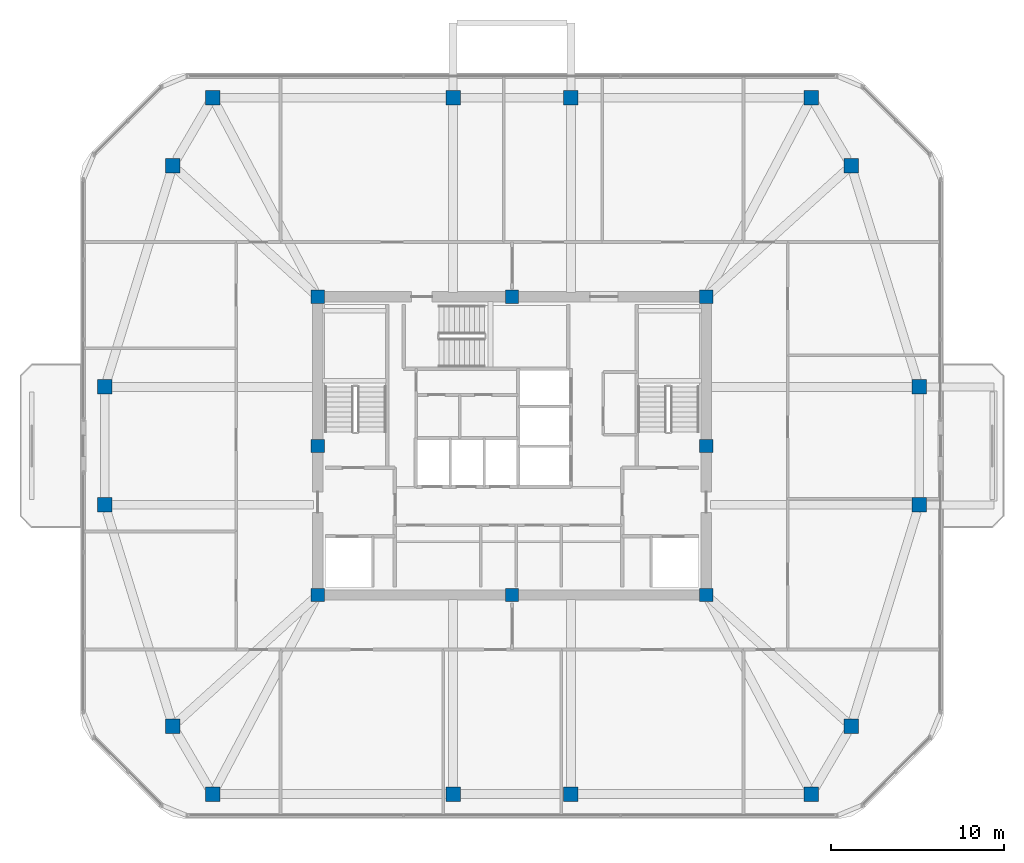
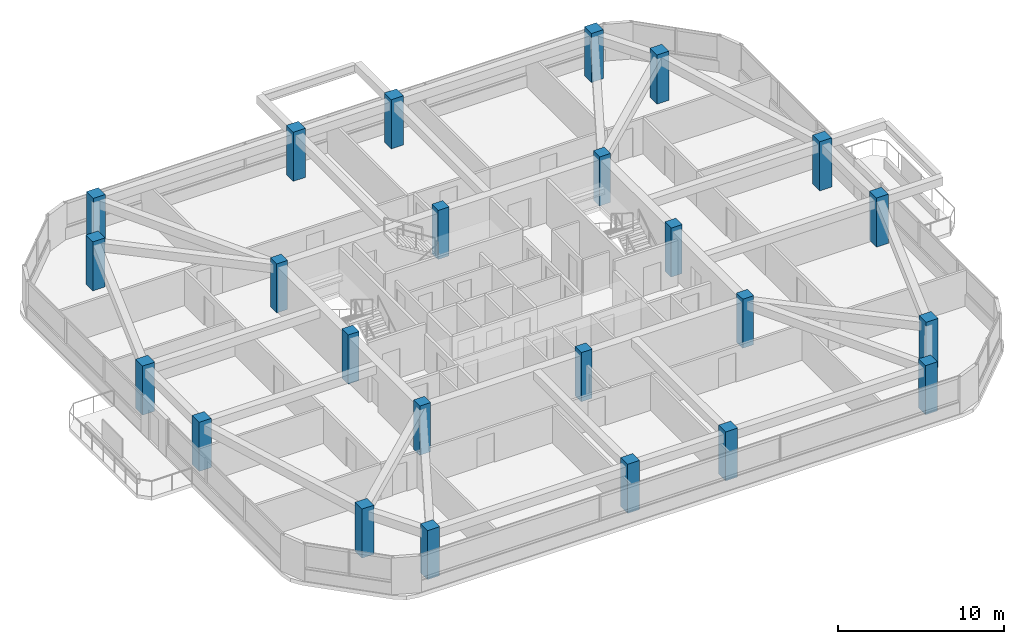
# One storey, part 1 of 14: 24 columns.
"""IFC4 building model written with IfcOpenShell, lengths in metres."""

import ifcopenshell
import ifcopenshell.guid

model = None  # the IFC model being written
_history = None  # IfcOwnerHistory: only IFC2X3 demands one
_inside = {}  # id of a spatial element -> (the spatial element, [elements in it])
_under = {}  # id of a project, library or spatial element -> (it, [spatial elements below it])
_declared = {}  # id of a project -> (the project, [libraries it declares])
_typed = {}  # id of a type object -> (the type object, [elements of that type])
_made_of = {}  # id of a material, layer set ... -> (it, [elements and type objects made of it])


def new_model(schema):
    """Start an empty IFC model of exactly this schema.

    Asked for "IFC4X3", IfcOpenShell would pick the latest addendum, in which some entities
    have other attributes; the version numbers below select the first issue.
    IFC2X3 requires an IfcOwnerHistory on every rooted entity: one is made here for all.
    """
    global model, _history
    if schema == "IFC4X3":
        model = ifcopenshell.file(schema_version=(4, 3, 0, 0))
    else:
        model = ifcopenshell.file(schema=schema)
    _inside.clear()
    _under.clear()
    _declared.clear()
    _typed.clear()
    _made_of.clear()
    _history = None
    if model.schema == "IFC2X3":
        org = make("IfcOrganization", Name="unknown")
        user = make(
            "IfcPersonAndOrganization",
            ThePerson=make("IfcPerson", FamilyName="unknown"),
            TheOrganization=org,
        )
        app = make(
            "IfcApplication",
            ApplicationDeveloper=org,
            Version="unknown",
            ApplicationFullName="unknown",
            ApplicationIdentifier="unknown",
        )
        _history = make(
            "IfcOwnerHistory",
            OwningUser=user,
            OwningApplication=app,
            ChangeAction="ADDED",
            CreationDate=0,
        )
    return model


def make(cls, **values):
    """One entity of the class cls with the attributes given. An attribute that is None is left unset."""
    return model.create_entity(
        cls, **{name: value for name, value in values.items() if value is not None}
    )


def rooted(cls, **values):
    """An entity with a GlobalId (a new one), such as an element, a storey or a relation."""
    return make(cls, GlobalId=ifcopenshell.guid.new(), OwnerHistory=_history, **values)


def si_unit(unit_type, name, prefix=None):
    """IfcSIUnit, for example si_unit("LENGTHUNIT", "METRE", prefix="MILLI")."""
    return make("IfcSIUnit", UnitType=unit_type, Prefix=prefix, Name=name)


def derived_unit(unit_type, elements):
    """IfcDerivedUnit: a product of units, each with its exponent."""
    return make(
        "IfcDerivedUnit",
        Elements=[
            make("IfcDerivedUnitElement", Unit=unit, Exponent=power)
            for unit, power in elements
        ],
        UnitType=unit_type,
    )


def assignment(units):
    """IfcUnitAssignment: the units of a project."""
    return None if units is None else make("IfcUnitAssignment", Units=units)


def point(xyz):
    """IfcCartesianPoint."""
    return None if xyz is None else make("IfcCartesianPoint", Coordinates=xyz)


def direction(xyz):
    """IfcDirection."""
    return None if xyz is None else make("IfcDirection", DirectionRatios=xyz)


def frame(location, z_axis=None, x_axis=None):
    """IfcAxis2Placement3D, a coordinate frame: its origin and axes. An axis left out is left unset."""
    return make(
        "IfcAxis2Placement3D",
        Location=point(location),
        Axis=direction(z_axis),
        RefDirection=direction(x_axis),
    )


def frame_2d(location, x_axis=None):
    """IfcAxis2Placement2D, a coordinate frame in the plane: its origin and x axis."""
    return make(
        "IfcAxis2Placement2D", Location=point(location), RefDirection=direction(x_axis)
    )


def origin():
    """The frame at (0, 0, 0) with its axes left unset."""
    return frame((0.0, 0.0, 0.0))


def origin_2d():
    """The frame at (0, 0) in the plane with its x axis left unset."""
    return frame_2d((0.0, 0.0))


def place(relative_to, where):
    """IfcLocalPlacement: puts the frame where relative to a parent placement (None: the world)."""
    return make(
        "IfcLocalPlacement", PlacementRelTo=relative_to, RelativePlacement=where
    )


def context(
    kind, dimensions, precision=None, world=None, true_north=None, identifier=None
):
    """IfcGeometricRepresentationContext, for example the 3D "Model" context."""
    return make(
        "IfcGeometricRepresentationContext",
        ContextIdentifier=identifier,
        ContextType=kind,
        CoordinateSpaceDimension=dimensions,
        Precision=precision,
        WorldCoordinateSystem=world,
        TrueNorth=true_north,
    )


def subcontext(parent, identifier, kind, view, scale=None):
    """IfcGeometricRepresentationSubContext, for example "Body" below "Model"."""
    return make(
        "IfcGeometricRepresentationSubContext",
        ContextIdentifier=identifier,
        ContextType=kind,
        ParentContext=parent,
        TargetScale=scale,
        TargetView=view,
    )


def project(units=None, contexts=None):
    """IfcProject with its units and contexts."""
    return rooted(
        "IfcProject",
        Name="project",
        RepresentationContexts=contexts,
        UnitsInContext=assignment(units),
    )


def spatial(cls, under=None, at=None, **own):
    """A site, building, storey or space (cls), placed at a placement, below another one or the project."""
    s = rooted(cls, ObjectPlacement=at, **own)
    if under is not None:
        _under.setdefault(under.id(), (under, []))[1].append(s)
    return s


def profile(cls, at=None, kind="AREA", **sizes):
    """A parametric profile (cls). Its sizes go by their IFC names, for example OverallWidth=200.0."""
    return make(cls, ProfileType=kind, Position=at, **sizes)


def rectangle(**sizes):
    """IfcRectangleProfileDef."""
    return profile("IfcRectangleProfileDef", **sizes)


def extrude(swept, where, along, depth):
    """IfcExtrudedAreaSolid: the profile swept, set in the frame where, extruded along a direction by depth."""
    return make(
        "IfcExtrudedAreaSolid",
        SweptArea=swept,
        Position=where,
        ExtrudedDirection=direction(along),
        Depth=depth,
    )


def shape(context_of_items, identifier, shape_type, items):
    """IfcShapeRepresentation: the items that make up one representation, for example the "Body"."""
    return make(
        "IfcShapeRepresentation",
        ContextOfItems=context_of_items,
        RepresentationIdentifier=identifier,
        RepresentationType=shape_type,
        Items=items,
    )


def material(Name=None, Category=None):
    """IfcMaterial."""
    return make("IfcMaterial", Name=Name, Category=Category)


def material_profile(
    of_material, cross_section, Name=None, Category=None, Priority=None
):
    """IfcMaterialProfile: a cross section and its material."""
    return make(
        "IfcMaterialProfile",
        Name=Name,
        Material=of_material,
        Profile=cross_section,
        Priority=Priority,
        Category=Category,
    )


def profile_set(profiles, Name=None, composite=None):
    """IfcMaterialProfileSet."""
    return make(
        "IfcMaterialProfileSet",
        Name=Name,
        MaterialProfiles=profiles,
        CompositeProfile=composite,
    )


def made_of(thing, what):
    """Note that an element or type object is made of a material, layer set ...; save() writes the relation."""
    if what is not None:
        _made_of.setdefault(what.id(), (what, []))[1].append(thing)
    return thing


def type_object(cls, material=None, **own):
    """A type object (cls), such as IfcWallType, which elements share."""
    return made_of(rooted(cls, **own), material)


def element(
    cls,
    number,
    at=None,
    inside=None,
    cuts=None,
    type_object=None,
    material=None,
    context=None,
    identifier="Body",
    shape_type=None,
    held_by="IfcProductDefinitionShape",
    body=None,
    shapes=None,
    **own,
):
    """One element of the class cls, such as IfcWall. Its Tag is "e" and its number.

    at: its placement. inside: the storey or other place that contains it. cuts: it is an
    opening in that element (IfcRelVoidsElement). A single representation is given by context,
    identifier, shape_type and body (its items); several are given by shapes. held_by: the class
    of the entity that holds the representations. save() writes the other relations.
    """
    e = rooted(cls, Tag="e%d" % number, ObjectPlacement=at, **own)
    if body is not None:
        shapes = [shape(context, identifier, shape_type, body)]
    if shapes is not None:
        e.Representation = make(held_by, Representations=shapes)
    if inside is not None:
        _inside.setdefault(inside.id(), (inside, []))[1].append(e)
    if cuts is not None:
        rooted(
            "IfcRelVoidsElement", RelatingBuildingElement=cuts, RelatedOpeningElement=e
        )
    if type_object is not None:
        _typed.setdefault(type_object.id(), (type_object, []))[1].append(e)
    return made_of(e, material)


def aggregate(whole, parts):
    """IfcRelAggregates: a whole, such as a stair, and the parts it consists of."""
    return rooted("IfcRelAggregates", RelatingObject=whole, RelatedObjects=parts)


def save(model, path):
    """Write the relations noted so far, then the file.

    IfcRelAggregates (storeys below a building ...), IfcRelContainedInSpatialStructure (elements
    in a storey), IfcRelDefinesByType, IfcRelAssociatesMaterial and IfcRelDeclares: one each for
    every whole, place, type object, material and project.
    """
    for whole, parts in _under.values():
        aggregate(whole, parts)
    for where, things in _inside.values():
        rooted(
            "IfcRelContainedInSpatialStructure",
            RelatedElements=things,
            RelatingStructure=where,
        )
    for kind, things in _typed.values():
        rooted("IfcRelDefinesByType", RelatedObjects=things, RelatingType=kind)
    for what, things in _made_of.values():
        rooted("IfcRelAssociatesMaterial", RelatedObjects=things, RelatingMaterial=what)
    for by, libraries in _declared.values():
        rooted("IfcRelDeclares", RelatingContext=by, RelatedDefinitions=libraries)
    model.write(path)


model = new_model("IFC4")

# Units and contexts
model_context = context("Model", 3, precision=1e-05, world=origin(), true_north=direction((0.0, 1.0)))
body_context = subcontext(model_context, "Body", "Model", "MODEL_VIEW")
ifc_project = project(units=[si_unit("LENGTHUNIT", "METRE"), si_unit("AREAUNIT", "SQUARE_METRE"), si_unit("VOLUMEUNIT", "CUBIC_METRE"), si_unit("PLANEANGLEUNIT", "RADIAN"), si_unit("MASSUNIT", "GRAM", prefix="KILO"), derived_unit("THERMALTRANSMITTANCEUNIT", [(si_unit("POWERUNIT", "WATT"), 1), (si_unit("LENGTHUNIT", "METRE"), -2), (si_unit("THERMODYNAMICTEMPERATUREUNIT", "KELVIN"), -1)])], contexts=[model_context])

# Site, building, storey
site_placement = place(None, origin())
site = spatial("IfcSite", under=ifc_project, at=site_placement, CompositionType="ELEMENT")
building_placement = place(site_placement, origin())
building = spatial("IfcBuilding", under=site, at=building_placement, Name="Koralith Skygarden Medical Center", CompositionType="ELEMENT")
storey_placement = place(building_placement, frame((0.0, 0.0, 257.219970703125)))
storey = spatial("IfcBuildingStorey", under=building, at=storey_placement, Name="L66", CompositionType="ELEMENT", Elevation=257.219970703125)

# Columns
ifc_material = material(Name="Concrete C55/67", Category="concrete")
ifc_material_profile_1 = material_profile(ifc_material, rectangle(XDim=0.760009765625, YDim=0.760009765625, at=origin_2d()), Name="RC760X760")
ifc_profile_set_1 = profile_set([ifc_material_profile_1], Name="Concrete C55/67")
column_type_1 = type_object("IfcColumnType", Name="Core Crown Column C55 RC760", PredefinedType="COLUMN", material=ifc_profile_set_1)
for number, where, z_axis, x_axis, name in (
    (1, (25.800048828125, 17.300048828125, 0.0), (0.0, 0.0, 1.0), (1.0, 0.0, 0.0), "L66 Core Column CC-01"),
    (2, (37.0, 17.300048828125, 0.0), (0.0, 0.0, 1.0), (1.0, 0.0, 0.0), "L66 Core Column CC-02"),
    (3, (48.199951171875, 17.300048828125, 0.0), (0.0, 0.0, 1.0), (1.0, 0.0, 0.0), "L66 Core Column CC-03"),
    (4, (48.199951171875, 25.89990234375, 0.0), (0.0, 0.0, 1.0), (1.0, 0.0, 0.0), "L66 Core Column CC-04"),
    (5, (48.199951171875, 34.5, 0.0), (0.0, 0.0, 1.0), (1.0, 0.0, 0.0), "L66 Core Column CC-05"),
    (6, (37.0, 34.5, 0.0), (0.0, 0.0, 1.0), (1.0, 0.0, 0.0), "L66 Core Column CC-06"),
    (7, (25.800048828125, 34.5, 0.0), (0.0, 0.0, 1.0), (1.0, 0.0, 0.0), "L66 Core Column CC-07"),
    (8, (25.800048828125, 25.89990234375, 0.0), (0.0, 0.0, 1.0), (1.0, 0.0, 0.0), "L66 Core Column CC-08"),
):
    element("IfcColumn", number, at=place(storey_placement, frame(where, z_axis=z_axis, x_axis=x_axis)), inside=storey, type_object=column_type_1, Name=name, PredefinedType="COLUMN", context=body_context, shape_type="SweptSolid", body=[
        extrude(rectangle(XDim=0.760009765625, YDim=0.760009765625, at=origin_2d()), origin(), (0.0, 0.0, 1.0), 3.60009765625),
    ])
ifc_material_profile_2 = material_profile(ifc_material, rectangle(XDim=0.840087890625, YDim=0.840087890625, at=origin_2d()), Name="RC840X840")
ifc_profile_set_2 = profile_set([ifc_material_profile_2], Name="Concrete C55/67")
column_type_2 = type_object("IfcColumnType", Name="Zone 5 Upper Mega-Column C55 RC840", PredefinedType="COLUMN", material=ifc_profile_set_2)
for number, where, z_axis, x_axis, name in (
    (9, (13.52001953125, 22.5, 0.0), (0.0, 0.0, 1.0), (1.0, 0.0, 0.0), "L66 Perimeter Mega-Column MC-01"),
    (10, (17.43994140625, 9.739990234375, 0.0), (0.0, 0.0, 1.0), (1.0, 0.0, 0.0), "L66 Perimeter Mega-Column MC-02"),
    (11, (19.73193359375, 5.820068359375, 0.0), (0.0, 0.0, 1.0), (1.0, 0.0, 0.0), "L66 Perimeter Mega-Column MC-03"),
    (12, (33.60009765625, 5.820068359375, 0.0), (0.0, 0.0, 1.0), (1.0, 0.0, 0.0), "L66 Perimeter Mega-Column MC-04"),
    (13, (40.39990234375, 5.820068359375, 0.0), (0.0, 0.0, 1.0), (1.0, 0.0, 0.0), "L66 Perimeter Mega-Column MC-05"),
    (14, (54.26806640625, 5.820068359375, 0.0), (0.0, 0.0, 1.0), (1.0, 0.0, 0.0), "L66 Perimeter Mega-Column MC-06"),
    (15, (56.56005859375, 9.739990234375, 0.0), (0.0, 0.0, 1.0), (1.0, 0.0, 0.0), "L66 Perimeter Mega-Column MC-07"),
    (16, (60.47998046875, 22.5, 0.0), (0.0, 0.0, 1.0), (1.0, 0.0, 0.0), "L66 Perimeter Mega-Column MC-08"),
    (17, (60.47998046875, 29.300048828125, 0.0), (0.0, 0.0, 1.0), (1.0, 0.0, 0.0), "L66 Perimeter Mega-Column MC-09"),
    (18, (56.56005859375, 42.06005859375, 0.0), (0.0, 0.0, 1.0), (1.0, 0.0, 0.0), "L66 Perimeter Mega-Column MC-10"),
    (19, (54.26806640625, 45.97998046875, 0.0), (0.0, 0.0, 1.0), (1.0, 0.0, 0.0), "L66 Perimeter Mega-Column MC-11"),
    (20, (40.39990234375, 45.97998046875, 0.0), (0.0, 0.0, 1.0), (1.0, 0.0, 0.0), "L66 Perimeter Mega-Column MC-12"),
    (21, (33.60009765625, 45.97998046875, 0.0), (0.0, 0.0, 1.0), (1.0, 0.0, 0.0), "L66 Perimeter Mega-Column MC-13"),
    (22, (19.73193359375, 45.97998046875, 0.0), (0.0, 0.0, 1.0), (1.0, 0.0, 0.0), "L66 Perimeter Mega-Column MC-14"),
    (23, (17.43994140625, 42.06005859375, 0.0), (0.0, 0.0, 1.0), (1.0, 0.0, 0.0), "L66 Perimeter Mega-Column MC-15"),
    (24, (13.52001953125, 29.300048828125, 0.0), (0.0, 0.0, 1.0), (1.0, 0.0, 0.0), "L66 Perimeter Mega-Column MC-16"),
):
    element("IfcColumn", number, at=place(storey_placement, frame(where, z_axis=z_axis, x_axis=x_axis)), inside=storey, type_object=column_type_2, Name=name, PredefinedType="COLUMN", context=body_context, shape_type="SweptSolid", body=[
        extrude(rectangle(XDim=0.840087890625, YDim=0.840087890625, at=origin_2d()), origin(), (0.0, 0.0, 1.0), 3.60009765625),
    ])

save(model, "model.ifc")
